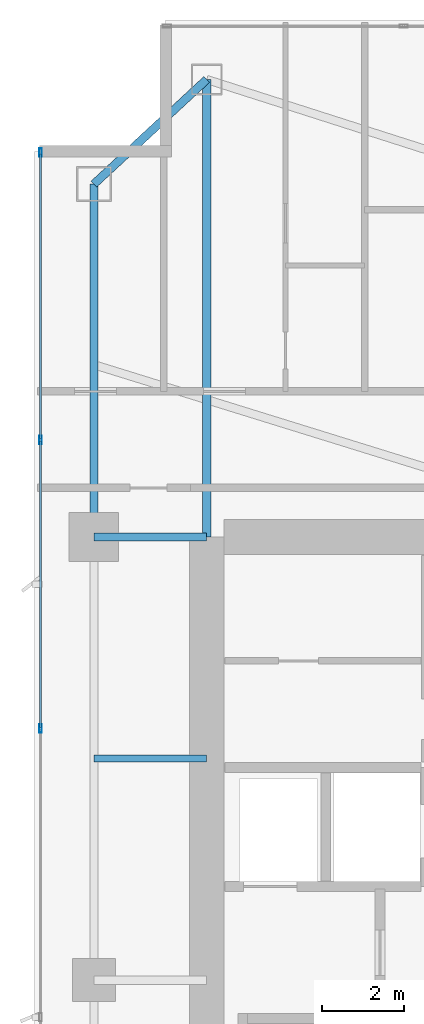
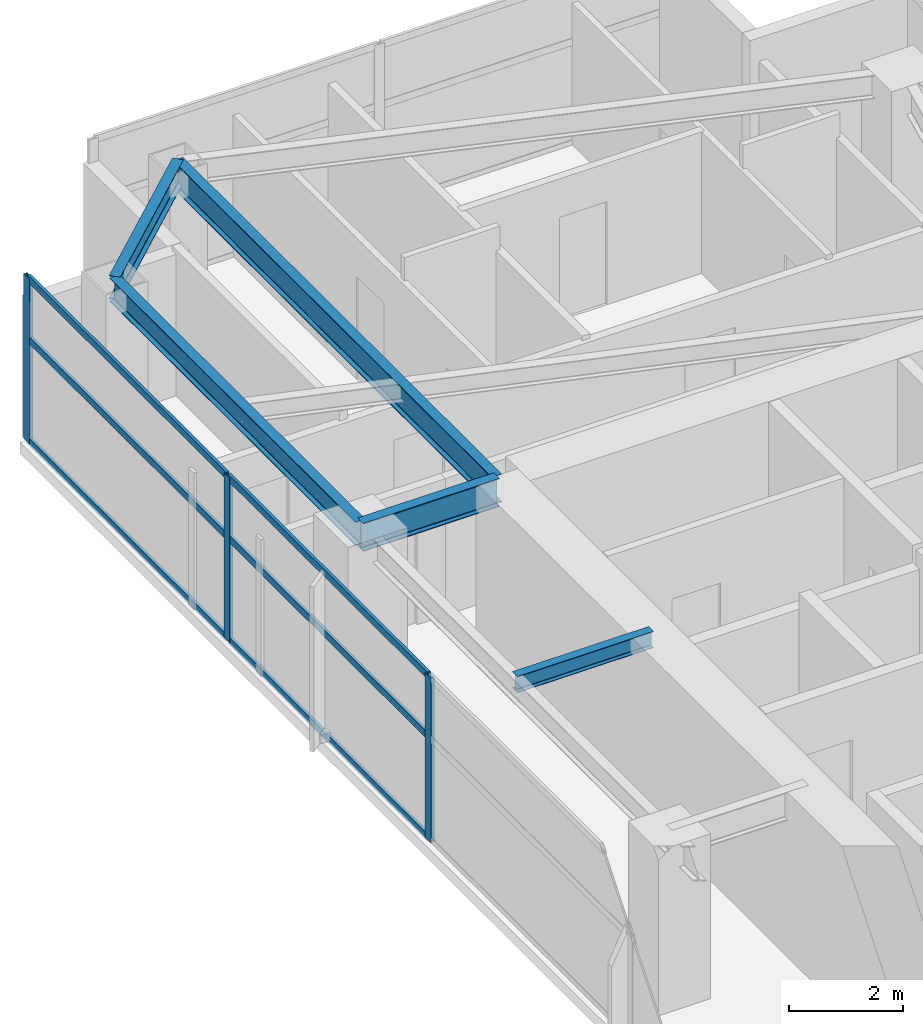
# One storey, part 16 of 28: 9 members, 5 beams, 1 element without a shape of its own.
"""IFC4 building model written with IfcOpenShell, lengths in metres."""

import ifcopenshell
import ifcopenshell.guid

model = None  # the IFC model being written
_history = None  # IfcOwnerHistory: only IFC2X3 demands one
_inside = {}  # id of a spatial element -> (the spatial element, [elements in it])
_under = {}  # id of a project, library or spatial element -> (it, [spatial elements below it])
_declared = {}  # id of a project -> (the project, [libraries it declares])
_typed = {}  # id of a type object -> (the type object, [elements of that type])
_made_of = {}  # id of a material, layer set ... -> (it, [elements and type objects made of it])


def new_model(schema):
    """Start an empty IFC model of exactly this schema.

    Asked for "IFC4X3", IfcOpenShell would pick the latest addendum, in which some entities
    have other attributes; the version numbers below select the first issue.
    IFC2X3 requires an IfcOwnerHistory on every rooted entity: one is made here for all.
    """
    global model, _history
    if schema == "IFC4X3":
        model = ifcopenshell.file(schema_version=(4, 3, 0, 0))
    else:
        model = ifcopenshell.file(schema=schema)
    _inside.clear()
    _under.clear()
    _declared.clear()
    _typed.clear()
    _made_of.clear()
    _history = None
    if model.schema == "IFC2X3":
        org = make("IfcOrganization", Name="unknown")
        user = make(
            "IfcPersonAndOrganization",
            ThePerson=make("IfcPerson", FamilyName="unknown"),
            TheOrganization=org,
        )
        app = make(
            "IfcApplication",
            ApplicationDeveloper=org,
            Version="unknown",
            ApplicationFullName="unknown",
            ApplicationIdentifier="unknown",
        )
        _history = make(
            "IfcOwnerHistory",
            OwningUser=user,
            OwningApplication=app,
            ChangeAction="ADDED",
            CreationDate=0,
        )
    return model


def make(cls, **values):
    """One entity of the class cls with the attributes given. An attribute that is None is left unset."""
    return model.create_entity(
        cls, **{name: value for name, value in values.items() if value is not None}
    )


def rooted(cls, **values):
    """An entity with a GlobalId (a new one), such as an element, a storey or a relation."""
    return make(cls, GlobalId=ifcopenshell.guid.new(), OwnerHistory=_history, **values)


def si_unit(unit_type, name, prefix=None):
    """IfcSIUnit, for example si_unit("LENGTHUNIT", "METRE", prefix="MILLI")."""
    return make("IfcSIUnit", UnitType=unit_type, Prefix=prefix, Name=name)


def assignment(units):
    """IfcUnitAssignment: the units of a project."""
    return None if units is None else make("IfcUnitAssignment", Units=units)


def point(xyz):
    """IfcCartesianPoint."""
    return None if xyz is None else make("IfcCartesianPoint", Coordinates=xyz)


def direction(xyz):
    """IfcDirection."""
    return None if xyz is None else make("IfcDirection", DirectionRatios=xyz)


def frame(location, z_axis=None, x_axis=None):
    """IfcAxis2Placement3D, a coordinate frame: its origin and axes. An axis left out is left unset."""
    return make(
        "IfcAxis2Placement3D",
        Location=point(location),
        Axis=direction(z_axis),
        RefDirection=direction(x_axis),
    )


def frame_2d(location, x_axis=None):
    """IfcAxis2Placement2D, a coordinate frame in the plane: its origin and x axis."""
    return make(
        "IfcAxis2Placement2D", Location=point(location), RefDirection=direction(x_axis)
    )


def origin():
    """The frame at (0, 0, 0) with its axes left unset."""
    return frame((0.0, 0.0, 0.0))


def origin_2d():
    """The frame at (0, 0) in the plane with its x axis left unset."""
    return frame_2d((0.0, 0.0))


def place(relative_to, where):
    """IfcLocalPlacement: puts the frame where relative to a parent placement (None: the world)."""
    return make(
        "IfcLocalPlacement", PlacementRelTo=relative_to, RelativePlacement=where
    )


def context(
    kind, dimensions, precision=None, world=None, true_north=None, identifier=None
):
    """IfcGeometricRepresentationContext, for example the 3D "Model" context."""
    return make(
        "IfcGeometricRepresentationContext",
        ContextIdentifier=identifier,
        ContextType=kind,
        CoordinateSpaceDimension=dimensions,
        Precision=precision,
        WorldCoordinateSystem=world,
        TrueNorth=true_north,
    )


def subcontext(parent, identifier, kind, view, scale=None):
    """IfcGeometricRepresentationSubContext, for example "Body" below "Model"."""
    return make(
        "IfcGeometricRepresentationSubContext",
        ContextIdentifier=identifier,
        ContextType=kind,
        ParentContext=parent,
        TargetScale=scale,
        TargetView=view,
    )


def project(units=None, contexts=None):
    """IfcProject with its units and contexts."""
    return rooted(
        "IfcProject",
        Name="project",
        RepresentationContexts=contexts,
        UnitsInContext=assignment(units),
    )


def spatial(cls, under=None, at=None, **own):
    """A site, building, storey or space (cls), placed at a placement, below another one or the project."""
    s = rooted(cls, ObjectPlacement=at, **own)
    if under is not None:
        _under.setdefault(under.id(), (under, []))[1].append(s)
    return s


def profile(cls, at=None, kind="AREA", **sizes):
    """A parametric profile (cls). Its sizes go by their IFC names, for example OverallWidth=200.0."""
    return make(cls, ProfileType=kind, Position=at, **sizes)


def hollow_rectangle(**sizes):
    """IfcRectangleHollowProfileDef."""
    return profile("IfcRectangleHollowProfileDef", **sizes)


def i_section(**sizes):
    """IfcIShapeProfileDef."""
    return profile("IfcIShapeProfileDef", **sizes)


def extrude(swept, where, along, depth):
    """IfcExtrudedAreaSolid: the profile swept, set in the frame where, extruded along a direction by depth."""
    return make(
        "IfcExtrudedAreaSolid",
        SweptArea=swept,
        Position=where,
        ExtrudedDirection=direction(along),
        Depth=depth,
    )


def shape(context_of_items, identifier, shape_type, items):
    """IfcShapeRepresentation: the items that make up one representation, for example the "Body"."""
    return make(
        "IfcShapeRepresentation",
        ContextOfItems=context_of_items,
        RepresentationIdentifier=identifier,
        RepresentationType=shape_type,
        Items=items,
    )


def material(Name=None, Category=None):
    """IfcMaterial."""
    return make("IfcMaterial", Name=Name, Category=Category)


def layer(
    of_material, thickness, ventilated=None, Name=None, Category=None, Priority=None
):
    """IfcMaterialLayer: one layer of a wall or slab, of a material (None: an air gap)."""
    return make(
        "IfcMaterialLayer",
        Material=of_material,
        LayerThickness=thickness,
        IsVentilated=ventilated,
        Name=Name,
        Category=Category,
        Priority=Priority,
    )


def layer_set(layers, Name=None):
    """IfcMaterialLayerSet."""
    return make("IfcMaterialLayerSet", MaterialLayers=layers, LayerSetName=Name)


def material_profile(
    of_material, cross_section, Name=None, Category=None, Priority=None
):
    """IfcMaterialProfile: a cross section and its material."""
    return make(
        "IfcMaterialProfile",
        Name=Name,
        Material=of_material,
        Profile=cross_section,
        Priority=Priority,
        Category=Category,
    )


def profile_set(profiles, Name=None, composite=None):
    """IfcMaterialProfileSet."""
    return make(
        "IfcMaterialProfileSet",
        Name=Name,
        MaterialProfiles=profiles,
        CompositeProfile=composite,
    )


def made_of(thing, what):
    """Note that an element or type object is made of a material, layer set ...; save() writes the relation."""
    if what is not None:
        _made_of.setdefault(what.id(), (what, []))[1].append(thing)
    return thing


def type_object(cls, material=None, **own):
    """A type object (cls), such as IfcWallType, which elements share."""
    return made_of(rooted(cls, **own), material)


def element(
    cls,
    number,
    at=None,
    inside=None,
    cuts=None,
    type_object=None,
    material=None,
    context=None,
    identifier="Body",
    shape_type=None,
    held_by="IfcProductDefinitionShape",
    body=None,
    shapes=None,
    **own,
):
    """One element of the class cls, such as IfcWall. Its Tag is "e" and its number.

    at: its placement. inside: the storey or other place that contains it. cuts: it is an
    opening in that element (IfcRelVoidsElement). A single representation is given by context,
    identifier, shape_type and body (its items); several are given by shapes. held_by: the class
    of the entity that holds the representations. save() writes the other relations.
    """
    e = rooted(cls, Tag="e%d" % number, ObjectPlacement=at, **own)
    if body is not None:
        shapes = [shape(context, identifier, shape_type, body)]
    if shapes is not None:
        e.Representation = make(held_by, Representations=shapes)
    if inside is not None:
        _inside.setdefault(inside.id(), (inside, []))[1].append(e)
    if cuts is not None:
        rooted(
            "IfcRelVoidsElement", RelatingBuildingElement=cuts, RelatedOpeningElement=e
        )
    if type_object is not None:
        _typed.setdefault(type_object.id(), (type_object, []))[1].append(e)
    return made_of(e, material)


def aggregate(whole, parts):
    """IfcRelAggregates: a whole, such as a stair, and the parts it consists of."""
    return rooted("IfcRelAggregates", RelatingObject=whole, RelatedObjects=parts)


def save(model, path):
    """Write the relations noted so far, then the file.

    IfcRelAggregates (storeys below a building ...), IfcRelContainedInSpatialStructure (elements
    in a storey), IfcRelDefinesByType, IfcRelAssociatesMaterial and IfcRelDeclares: one each for
    every whole, place, type object, material and project.
    """
    for whole, parts in _under.values():
        aggregate(whole, parts)
    for where, things in _inside.values():
        rooted(
            "IfcRelContainedInSpatialStructure",
            RelatedElements=things,
            RelatingStructure=where,
        )
    for kind, things in _typed.values():
        rooted("IfcRelDefinesByType", RelatedObjects=things, RelatingType=kind)
    for what, things in _made_of.values():
        rooted("IfcRelAssociatesMaterial", RelatedObjects=things, RelatingMaterial=what)
    for by, libraries in _declared.values():
        rooted("IfcRelDeclares", RelatingContext=by, RelatedDefinitions=libraries)
    model.write(path)


model = new_model("IFC4")

# Units and contexts
model_context = context("Model", 3, precision=1e-05, world=origin(), true_north=direction((0.0, 1.0)))
body_context = subcontext(model_context, "Body", "Model", "MODEL_VIEW")
ifc_project = project(units=[si_unit("LENGTHUNIT", "METRE"), si_unit("AREAUNIT", "SQUARE_METRE"), si_unit("VOLUMEUNIT", "CUBIC_METRE"), si_unit("PLANEANGLEUNIT", "RADIAN"), si_unit("MASSUNIT", "GRAM", prefix="KILO")], contexts=[model_context])

# Site, building, storey
site_placement = place(None, origin())
site = spatial("IfcSite", under=ifc_project, at=site_placement, CompositionType="ELEMENT")
building_placement = place(site_placement, origin())
building = spatial("IfcBuilding", under=site, at=building_placement, Name="Calvorn Quay Hotel", CompositionType="ELEMENT")
storey_placement = place(building_placement, frame((0.0, 0.0, 182.699951171875)))
storey = spatial("IfcBuildingStorey", under=building, at=storey_placement, Name="L45", CompositionType="ELEMENT", Elevation=182.699951171875)

# Beams
ifc_material_1 = material(Name="Steel Q355B", Category="steel")
ifc_material_profile_1 = material_profile(ifc_material_1, i_section(OverallWidth=0.199951171875, OverallDepth=0.60009765625, WebThickness=0.010986328125, FlangeThickness=0.01708984375, FilletRadius=0.01806640625, at=origin_2d()), Name="HN600x200x11x17")
ifc_profile_set_1 = profile_set([ifc_material_profile_1], Name="Steel Q355B")
beam_type_1 = type_object("IfcBeamType", Name="BM-GIRD-TYP", PredefinedType="BEAM", material=ifc_profile_set_1)
beam_1_placement = place(storey_placement, frame((1.449951171875, 38.39990234375, 3.219970703125), z_axis=(1.0, 0.0, 0.0), x_axis=(0.0, 1.0, 0.0)))
element("IfcBeam", 1, at=beam_1_placement, inside=storey, type_object=beam_type_1, Name="Beam BG-L45-W3", PredefinedType="BEAM", context=body_context, shape_type="SweptSolid", body=[
    extrude(i_section(OverallWidth=0.199951171875, OverallDepth=0.60009765625, WebThickness=0.010986328125, FlangeThickness=0.01708984375, FilletRadius=0.01806640625, at=origin_2d()), origin(), (0.0, 0.0, 1.0), 2.75),
])
beam_2_placement = place(storey_placement, frame((4.199951171875, 49.550048828125, 3.219970703125), z_axis=(0.0, -1.0, 0.0), x_axis=(1.0, 0.0, 0.0)))
element("IfcBeam", 2, at=beam_2_placement, inside=storey, type_object=beam_type_1, Name="Beam BG-L45-W5", PredefinedType="BEAM", context=body_context, shape_type="SweptSolid", body=[
    extrude(i_section(OverallWidth=0.199951171875, OverallDepth=0.60009765625, WebThickness=0.010986328125, FlangeThickness=0.01708984375, FilletRadius=0.01806640625, at=origin_2d()), origin(), (0.0, 0.0, 1.0), 11.150146484375),
])
ifc_material_2 = material(Name="Steel Q355B", Category="steel")
ifc_material_profile_2 = material_profile(ifc_material_2, i_section(OverallWidth=0.175048828125, OverallDepth=0.35009765625, WebThickness=0.007080078125, FlangeThickness=0.010986328125, FilletRadius=0.013916015625, at=origin_2d()), Name="HN350x175x7x11")
ifc_profile_set_2 = profile_set([ifc_material_profile_2], Name="Steel Q355B")
beam_type_2 = type_object("IfcBeamType", Name="BM-JOIST-SEC", PredefinedType="JOIST", material=ifc_profile_set_2)
beam_3_placement = place(storey_placement, frame((1.449951171875, 33.0, 3.344970703125), z_axis=(1.0, 0.0, 0.0), x_axis=(0.0, 1.0, 0.0)))
element("IfcBeam", 3, at=beam_3_placement, inside=storey, type_object=beam_type_2, Name="Beam BJ-L45-W4", PredefinedType="JOIST", context=body_context, shape_type="SweptSolid", body=[
    extrude(i_section(OverallWidth=0.175048828125, OverallDepth=0.35009765625, WebThickness=0.007080078125, FlangeThickness=0.010986328125, FilletRadius=0.013916015625, at=origin_2d()), origin(), (0.0, 0.0, 1.0), 2.75),
])
ifc_material_3 = material(Name="Steel Q355B", Category="steel")
ifc_material_profile_3 = material_profile(ifc_material_3, i_section(OverallWidth=0.199951171875, OverallDepth=0.5, WebThickness=0.010009765625, FlangeThickness=0.01611328125, FilletRadius=0.01611328125, at=origin_2d()), Name="HN500x200x10x16")
ifc_profile_set_3 = profile_set([ifc_material_profile_3], Name="Steel Q355B")
beam_type_3 = type_object("IfcBeamType", Name="BM-SPANDREL-Z1", PredefinedType="SPANDREL", material=ifc_profile_set_3)
beam_4_placement = place(storey_placement, frame((1.449951171875, 38.39990234375, 3.27001953125), z_axis=(0.0, 1.0, 0.0), x_axis=(-1.0, 0.0, 0.0)))
element("IfcBeam", 4, at=beam_4_placement, inside=storey, type_object=beam_type_3, Name="Beam BSP-L45-W4", PredefinedType="SPANDREL", context=body_context, shape_type="SweptSolid", body=[
    extrude(i_section(OverallWidth=0.199951171875, OverallDepth=0.5, WebThickness=0.010009765625, FlangeThickness=0.01611328125, FilletRadius=0.01611328125, at=origin_2d()), origin(), (0.0, 0.0, 1.0), 8.60009765625),
])
beam_5_placement = place(storey_placement, frame((1.449951171875, 47.0, 3.27001953125), z_axis=(0.733261665538, 0.679946563969, 0.0), x_axis=(-0.679946563969, 0.733261665538, 0.0)))
element("IfcBeam", 5, at=beam_5_placement, inside=storey, type_object=beam_type_3, Name="Beam BSP-L45-W5", PredefinedType="SPANDREL", context=body_context, shape_type="SweptSolid", body=[
    extrude(i_section(OverallWidth=0.199951171875, OverallDepth=0.5, WebThickness=0.010009765625, FlangeThickness=0.01611328125, FilletRadius=0.01611328125, at=origin_2d()), origin(), (0.0, 0.0, 1.0), 3.75048828125),
])

# Curtain wall, members
ifc_material_4 = material(Name="Pale Anodised Aluminium and Low-E Glass", Category="aluminium")
ifc_layer = layer(ifc_material_4, 0.219970703125)
ifc_layer_set = layer_set([ifc_layer], Name="CW-SYS-Z2")
curtain_wall_type = type_object("IfcCurtainWallType", Name="CW-SYS-Z2", PredefinedType="NOTDEFINED", material=ifc_layer_set)
curtain_wall_placement = place(storey_placement, origin())
curtain_wall = element("IfcCurtainWall", 6, at=curtain_wall_placement, inside=storey, type_object=curtain_wall_type, Name="Tower West Curtain Wall (L45)", PredefinedType="NOTDEFINED")
ifc_material_5 = material(Name="Pale Anodised Aluminium 6063-T6", Category="aluminium")
ifc_material_profile_4 = material_profile(ifc_material_5, hollow_rectangle(XDim=0.070068359375, YDim=0.199951171875, WallThickness=0.00390625, at=origin_2d()), Name="ALU-M200x70x4")
ifc_profile_set_4 = profile_set([ifc_material_profile_4], Name="Pale Anodised Aluminium 6063-T6")
member_type_1 = type_object("IfcMemberType", Name="CW-SYS-Z2-MUL", PredefinedType="MULLION", material=ifc_profile_set_4)
member_1_placement = place(storey_placement, frame((0.14990234375, 33.7333984375, 0.0), z_axis=(0.0, 0.0, 1.0), x_axis=(-1.0, 0.0, 0.0)))
member_1 = element("IfcMember", 7, at=member_1_placement, type_object=member_type_1, Name="CW-L45-W mullion 5", PredefinedType="MULLION", context=body_context, shape_type="SweptSolid", body=[
    extrude(hollow_rectangle(XDim=0.070068359375, YDim=0.199951171875, WallThickness=0.00390625, at=origin_2d()), origin(), (0.0, 0.0, 1.0), 3.52001953125),
])
member_2_placement = place(storey_placement, frame((0.14990234375, 40.7666015625, 0.0), z_axis=(0.0, 0.0, 1.0), x_axis=(-1.0, 0.0, 0.0)))
member_2 = element("IfcMember", 8, at=member_2_placement, type_object=member_type_1, Name="CW-L45-W mullion 6", PredefinedType="MULLION", context=body_context, shape_type="SweptSolid", body=[
    extrude(hollow_rectangle(XDim=0.070068359375, YDim=0.199951171875, WallThickness=0.00390625, at=origin_2d()), origin(), (0.0, 0.0, 1.0), 3.52001953125),
])
member_3_placement = place(storey_placement, frame((0.14990234375, 47.77001953125, 0.0), z_axis=(0.0, 0.0, 1.0), x_axis=(-1.0, 0.0, 0.0)))
member_3 = element("IfcMember", 9, at=member_3_placement, type_object=member_type_1, Name="CW-L45-W mullion 7", PredefinedType="MULLION", context=body_context, shape_type="SweptSolid", body=[
    extrude(hollow_rectangle(XDim=0.070068359375, YDim=0.199951171875, WallThickness=0.00390625, at=origin_2d()), origin(), (0.0, 0.0, 1.0), 3.52001953125),
])
ifc_material_6 = material(Name="Pale Anodised Aluminium 6063-T6", Category="aluminium")
ifc_material_profile_5 = material_profile(ifc_material_6, hollow_rectangle(XDim=0.06005859375, YDim=0.14990234375, WallThickness=0.00341796875, at=origin_2d()), Name="ALU-T150x60x3.5")
ifc_profile_set_5 = profile_set([ifc_material_profile_5], Name="Pale Anodised Aluminium 6063-T6")
member_type_2 = type_object("IfcMemberType", Name="CW-SYS-Z2-TRN", PredefinedType="USERDEFINED", material=ifc_profile_set_5)
member_4_placement = place(storey_placement, frame((0.14990234375, 33.763427734375, 0.030029296875), z_axis=(0.0, 1.0, 0.0), x_axis=(-1.0, 0.0, 0.0)))
member_4 = element("IfcMember", 10, at=member_4_placement, type_object=member_type_2, Name="CW-L45-W transom 5.1", ObjectType="TRANSOM", PredefinedType="USERDEFINED", context=body_context, shape_type="SweptSolid", body=[
    extrude(hollow_rectangle(XDim=0.06005859375, YDim=0.14990234375, WallThickness=0.00341796875, at=origin_2d()), origin(), (0.0, 0.0, 1.0), 6.97314453125),
])
member_5_placement = place(storey_placement, frame((0.14990234375, 33.763427734375, 2.199951171875), z_axis=(0.0, 1.0, 0.0), x_axis=(-1.0, 0.0, 0.0)))
member_5 = element("IfcMember", 11, at=member_5_placement, type_object=member_type_2, Name="CW-L45-W transom 5.2", ObjectType="TRANSOM", PredefinedType="USERDEFINED", context=body_context, shape_type="SweptSolid", body=[
    extrude(hollow_rectangle(XDim=0.06005859375, YDim=0.14990234375, WallThickness=0.00341796875, at=origin_2d()), origin(), (0.0, 0.0, 1.0), 6.97314453125),
])
member_6_placement = place(storey_placement, frame((0.14990234375, 33.763427734375, 3.489990234375), z_axis=(0.0, 1.0, 0.0), x_axis=(-1.0, 0.0, 0.0)))
member_6 = element("IfcMember", 12, at=member_6_placement, type_object=member_type_2, Name="CW-L45-W transom 5.3", ObjectType="TRANSOM", PredefinedType="USERDEFINED", context=body_context, shape_type="SweptSolid", body=[
    extrude(hollow_rectangle(XDim=0.06005859375, YDim=0.14990234375, WallThickness=0.00341796875, at=origin_2d()), origin(), (0.0, 0.0, 1.0), 6.97314453125),
])
member_7_placement = place(storey_placement, frame((0.14990234375, 40.796630859375, 0.030029296875), z_axis=(0.0, 1.0, 0.0), x_axis=(-1.0, 0.0, 0.0)))
member_7 = element("IfcMember", 13, at=member_7_placement, type_object=member_type_2, Name="CW-L45-W transom 6.1", ObjectType="TRANSOM", PredefinedType="USERDEFINED", context=body_context, shape_type="SweptSolid", body=[
    extrude(hollow_rectangle(XDim=0.06005859375, YDim=0.14990234375, WallThickness=0.00341796875, at=origin_2d()), origin(), (0.0, 0.0, 1.0), 6.943359375),
])
member_8_placement = place(storey_placement, frame((0.14990234375, 40.796630859375, 2.199951171875), z_axis=(0.0, 1.0, 0.0), x_axis=(-1.0, 0.0, 0.0)))
member_8 = element("IfcMember", 14, at=member_8_placement, type_object=member_type_2, Name="CW-L45-W transom 6.2", ObjectType="TRANSOM", PredefinedType="USERDEFINED", context=body_context, shape_type="SweptSolid", body=[
    extrude(hollow_rectangle(XDim=0.06005859375, YDim=0.14990234375, WallThickness=0.00341796875, at=origin_2d()), origin(), (0.0, 0.0, 1.0), 6.943359375),
])
member_9_placement = place(storey_placement, frame((0.14990234375, 40.796630859375, 3.489990234375), z_axis=(0.0, 1.0, 0.0), x_axis=(-1.0, 0.0, 0.0)))
member_9 = element("IfcMember", 15, at=member_9_placement, type_object=member_type_2, Name="CW-L45-W transom 6.3", ObjectType="TRANSOM", PredefinedType="USERDEFINED", context=body_context, shape_type="SweptSolid", body=[
    extrude(hollow_rectangle(XDim=0.06005859375, YDim=0.14990234375, WallThickness=0.00341796875, at=origin_2d()), origin(), (0.0, 0.0, 1.0), 6.943359375),
])
aggregate(curtain_wall, [member_1, member_2, member_3, member_4, member_5, member_6, member_7, member_8, member_9])

save(model, "model.ifc")
